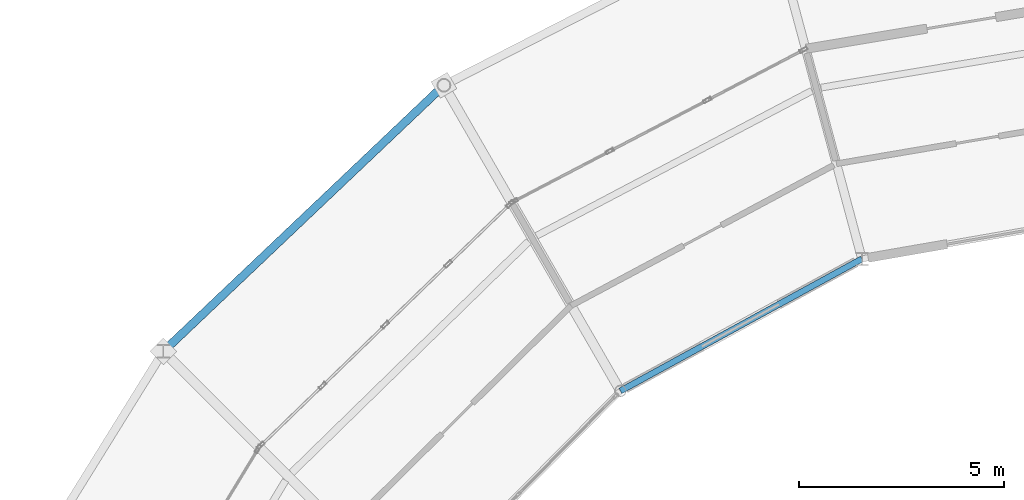
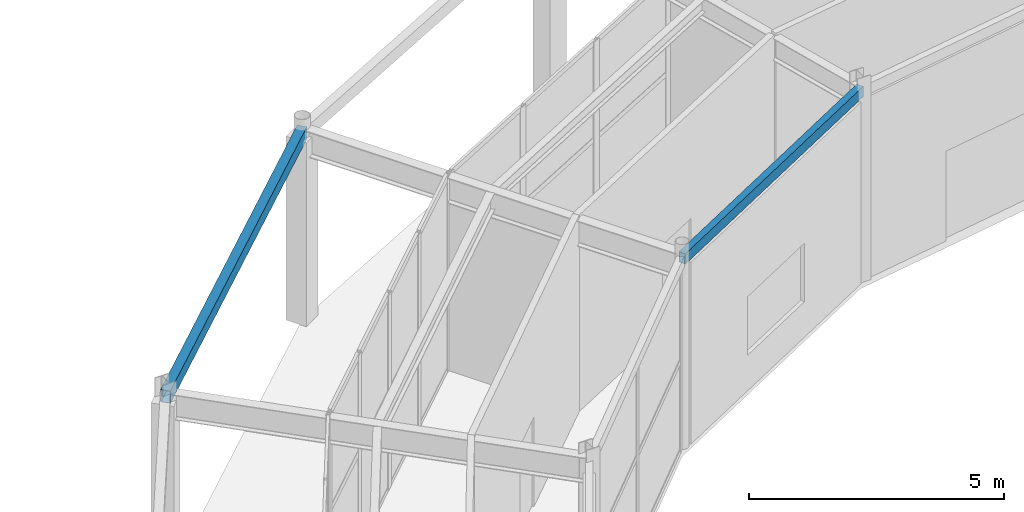
# One storey, part 79 of 144: 2 beams.
"""IFC4 building model written with IfcOpenShell, lengths in metres."""

from ifc_helpers import new_model, si_unit, direction, frame, origin, origin_2d, place, context, subcontext, project, spatial, hollow_rectangle, extrude, material, material_profile, profile_set, type_object, element, save


model = new_model("IFC4")

# Units and contexts
model_context = context("Model", 3, precision=1e-05, world=origin(), true_north=direction((0.0, 1.0)))
body_context = subcontext(model_context, "Body", "Model", "MODEL_VIEW")
ifc_project = project(units=[si_unit("LENGTHUNIT", "METRE"), si_unit("AREAUNIT", "SQUARE_METRE"), si_unit("VOLUMEUNIT", "CUBIC_METRE"), si_unit("PLANEANGLEUNIT", "RADIAN"), si_unit("MASSUNIT", "GRAM", prefix="KILO")], contexts=[model_context])

# Site, building, storey
site_placement = place(None, origin())
site = spatial("IfcSite", under=ifc_project, at=site_placement, CompositionType="ELEMENT")
building_placement = place(site_placement, origin())
building = spatial("IfcBuilding", under=site, at=building_placement, Name="Karori Crest Natural Sciences Institute", CompositionType="ELEMENT")
storey_placement = place(building_placement, origin())
storey = spatial("IfcBuildingStorey", under=building, at=storey_placement, Name="L00", CompositionType="ELEMENT", Elevation=0.0)

# Beams
ifc_material = material(Name="Hollow structural steel AS/NZS 1163 Grade C350", Category="steel")
ifc_material_profile_1 = material_profile(ifc_material, hollow_rectangle(XDim=0.199951171875, YDim=0.300048828125, WallThickness=0.010009765625, at=origin_2d()), Name="RHS300x200x10")
ifc_profile_set_1 = profile_set([ifc_material_profile_1], Name="Hollow structural steel AS/NZS 1163 Grade C350")
beam_type_1 = type_object("IfcBeamType", Name="BT-15", PredefinedType="SPANDREL", material=ifc_profile_set_1)
beam_1_placement = place(storey_placement, frame((49.89990234375, 85.23388671875, 4.489990234375), z_axis=(-0.72546900706, -0.688254836376, 0.0), x_axis=(0.688254836376, -0.72546900706, 0.0)))
element("IfcBeam", 1, at=beam_1_placement, inside=storey, type_object=beam_type_1, Name="Beam B-0121", PredefinedType="SPANDREL", context=body_context, shape_type="SweptSolid", body=[
    extrude(hollow_rectangle(XDim=0.199951171875, YDim=0.300048828125, WallThickness=0.010009765625, at=origin_2d()), origin(), (0.0, 0.0, 1.0), 9.420654296875),
])
ifc_material_profile_2 = material_profile(ifc_material, hollow_rectangle(XDim=0.14990234375, YDim=0.25, WallThickness=0.009033203125, at=origin_2d()), Name="RHS250x150x9")
ifc_profile_set_2 = profile_set([ifc_material_profile_2], Name="Hollow structural steel AS/NZS 1163 Grade C350")
beam_type_2 = type_object("IfcBeamType", Name="BT-16", PredefinedType="SPANDREL", material=ifc_profile_set_2)
beam_2_placement = place(storey_placement, frame((60.084716796875, 81.002685546875, 4.489990234375), z_axis=(-0.877461157042, -0.479647701842, 0.0), x_axis=(0.479647701842, -0.877461157042, 0.0)))
element("IfcBeam", 2, at=beam_2_placement, inside=storey, type_object=beam_type_2, Name="Beam B-0118", PredefinedType="SPANDREL", context=body_context, shape_type="SweptSolid", body=[
    extrude(hollow_rectangle(XDim=0.14990234375, YDim=0.25, WallThickness=0.009033203125, at=origin_2d()), origin(), (0.0, 0.0, 1.0), 6.70654296875),
])

save(model, "model.ifc")
